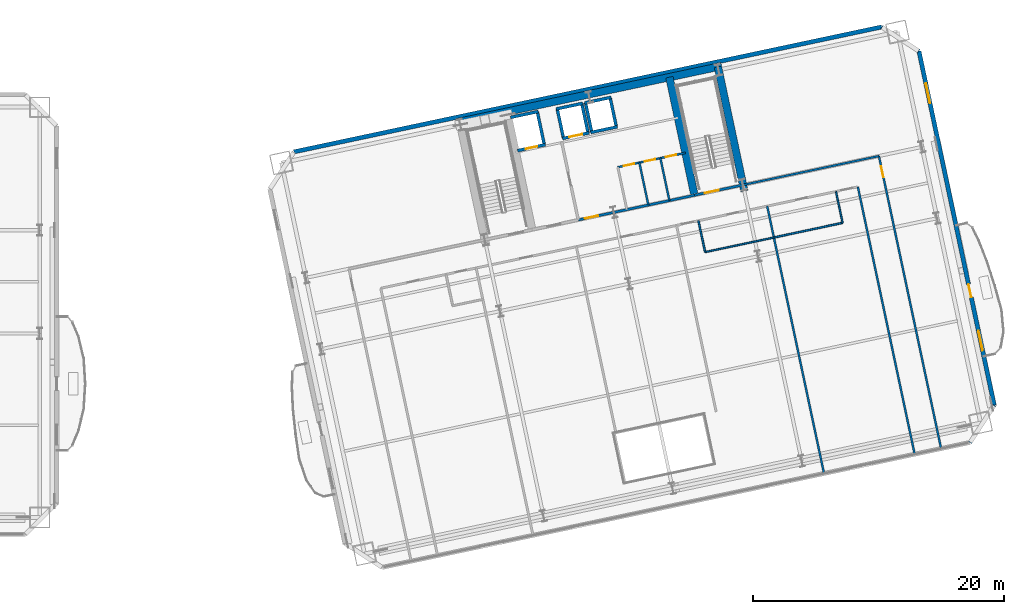
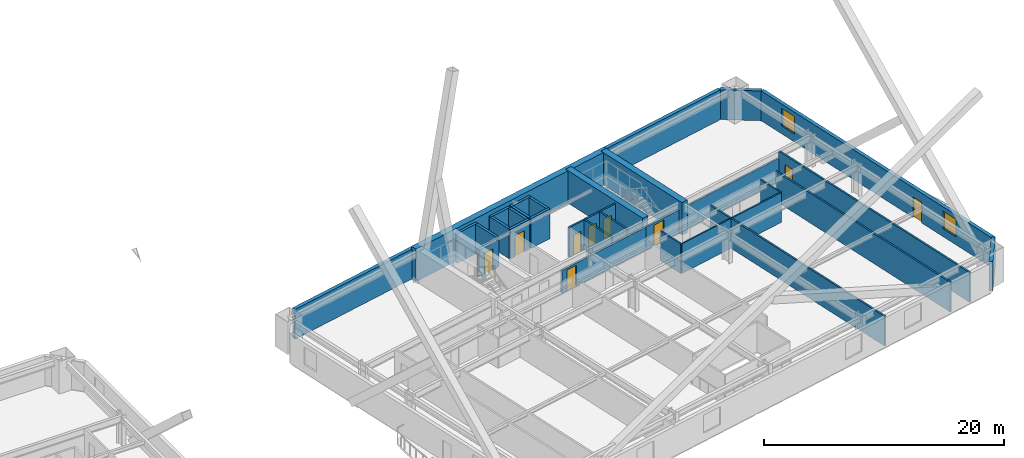
# One storey, part 11 of 20: 31 walls, 9 doors, 2 windows, 11 openings.
"""IFC4 building model written with IfcOpenShell, lengths in metres."""

from ifc_helpers import new_model, si_unit, direction, frame, frame_2d, origin, place, context, subcontext, project, spatial, rectangle, extrude, material, layer, layer_set, type_object, element, fill, save


model = new_model("IFC4")

# Units and contexts
model_context = context("Model", 3, precision=1e-05, world=origin(), true_north=direction((0.0, 1.0)))
body_context = subcontext(model_context, "Body", "Model", "MODEL_VIEW")
ifc_project = project(units=[si_unit("LENGTHUNIT", "METRE"), si_unit("AREAUNIT", "SQUARE_METRE"), si_unit("VOLUMEUNIT", "CUBIC_METRE"), si_unit("PLANEANGLEUNIT", "RADIAN"), si_unit("MASSUNIT", "GRAM", prefix="KILO")], contexts=[model_context])

# Site, building, storey
site_placement = place(None, origin())
site = spatial("IfcSite", under=ifc_project, at=site_placement, CompositionType="ELEMENT")
building_placement = place(site_placement, origin())
building = spatial("IfcBuilding", under=site, at=building_placement, Name="Haevon Station Towers", CompositionType="ELEMENT")
storey_placement = place(building_placement, frame((0.0, 0.0, 30.60009765625)))
storey = spatial("IfcBuildingStorey", under=building, at=storey_placement, Name="L06", CompositionType="ELEMENT", Elevation=30.60009765625)

# Wall, opening, door
ifc_material_1 = material(Name="Gypsum board on steel stud", Category="steel")
ifc_layer_1 = layer(ifc_material_1, 0.199951171875)
ifc_layer_set_1 = layer_set([ifc_layer_1], Name="Gypsum board on steel stud")
wall_type_1 = type_object("IfcWallType", Name="WL-COR200", PredefinedType="PARTITIONING", material=ifc_layer_set_1)
wall_1_placement = place(storey_placement, frame((115.4296875, 40.9873046875, 0.0), z_axis=(0.0, 0.0, 1.0), x_axis=(0.978146596989, 0.207916413008, 0.0)))
wall_1 = element("IfcWall", 1, at=wall_1_placement, inside=storey, type_object=wall_type_1, Name="WL-ST-ST4-L06", PredefinedType="PARTITIONING", context=body_context, shape_type="SweptSolid", body=[
    extrude(rectangle(XDim=3.9501953125, YDim=0.199951171875, at=frame_2d((1.97509765625, 0.0))), origin(), (0.0, 0.0, 1.0), 2.329833984375),
])
opening_1_placement = place(wall_1_placement, frame((0.85009765625, 0.0, 0.0)))
opening_1 = element("IfcOpeningElement", 2, at=opening_1_placement, cuts=wall_1, Name="Opening DR-ST-ST4-L06", PredefinedType="OPENING", context=body_context, shape_type="SweptSolid", body=[
    extrude(rectangle(XDim=1.1201171875, YDim=2.10009765625, at=frame_2d((0.56005859375, 1.050048828125))), frame((0.0, 0.10986328125, 0.0), z_axis=(0.0, -1.0, 0.0), x_axis=(1.0, 0.0, 0.0)), (0.0, 0.0, 1.0), 0.219970703125),
])
ifc_material_2 = material(Name="Engineered oak timber", Category="wood")
door_type_1 = type_object("IfcDoorType", Name="DR-ST-1120", OperationType="NOTDEFINED", PredefinedType="DOOR", material=ifc_material_2)
door_1_placement = place(opening_1_placement, origin())
door_1 = element("IfcDoor", 3, at=door_1_placement, inside=storey, type_object=door_type_1, Name="L06 Escape Stair ST4 Fire Door", OperationType="SINGLE_SWING_RIGHT", OverallHeight=2.10009765625, OverallWidth=1.1201171875, PredefinedType="DOOR", context=body_context, shape_type="SweptSolid", body=[
    extrude(rectangle(XDim=1.1201171875, YDim=2.10009765625, at=frame_2d((0.56005859375, 1.050048828125))), frame((0.0, 0.02490234375, 0.0), z_axis=(0.0, -1.0, 0.0), x_axis=(1.0, 0.0, 0.0)), (0.0, 0.0, 1.0), 0.050048828125),
])
fill(opening_1, door_1)

wall_2_placement = place(storey_placement, frame((106.186279296875, 39.0224609375, 0.0), z_axis=(0.0, 0.0, 1.0), x_axis=(0.978145519981, 0.20792147975, 0.0)))
wall_2 = element("IfcWall", 4, at=wall_2_placement, inside=storey, type_object=wall_type_1, Name="WL-T2CLB-L06", PredefinedType="PARTITIONING", context=body_context, shape_type="SweptSolid", body=[
    extrude(rectangle(XDim=9.449951171875, YDim=0.199951171875, at=frame_2d((4.72509765625, 0.0))), origin(), (0.0, 0.0, 1.0), 2.329833984375),
])
opening_2_placement = place(wall_2_placement, frame((0.550048828125, 0.0, 0.0)))
opening_2 = element("IfcOpeningElement", 5, at=opening_2_placement, cuts=wall_2, Name="Opening DR-T2CLB-L06-1", PredefinedType="OPENING", context=body_context, shape_type="SweptSolid", body=[
    extrude(rectangle(XDim=1.050048828125, YDim=2.10009765625, at=frame_2d((0.52490234375, 1.050048828125))), frame((0.0, 0.10986328125, 0.0), z_axis=(0.0, -1.0, 0.0), x_axis=(1.0, 0.0, 0.0)), (0.0, 0.0, 1.0), 0.219970703125),
])
door_type_2 = type_object("IfcDoorType", Name="DR-FD60-1050", OperationType="NOTDEFINED", PredefinedType="DOOR", material=ifc_material_2)
door_2_placement = place(opening_2_placement, origin())
door_2 = element("IfcDoor", 6, at=door_2_placement, inside=storey, type_object=door_type_2, Name="L06 Tower 2 Core Lift Lobby Door 1", OperationType="SINGLE_SWING_LEFT", OverallHeight=2.10009765625, OverallWidth=1.050048828125, PredefinedType="DOOR", context=body_context, shape_type="SweptSolid", body=[
    extrude(rectangle(XDim=1.050048828125, YDim=2.10009765625, at=frame_2d((0.52490234375, 1.050048828125))), frame((0.0, 0.02490234375, 0.0), z_axis=(0.0, -1.0, 0.0), x_axis=(1.0, 0.0, 0.0)), (0.0, 0.0, 1.0), 0.050048828125),
])
fill(opening_2, door_2)

# Walls
ifc_material_3 = material(Name="Concrete C60/75", Category="concrete")
ifc_layer_2 = layer(ifc_material_3, 0.60009765625)
ifc_layer_set_2 = layer_set([ifc_layer_2], Name="Concrete C60/75")
wall_type_2 = type_object("IfcWallType", Name="WL-CR600", PredefinedType="SHEAR", material=ifc_layer_set_2)
wall_3_placement = place(storey_placement, frame((96.462890625, 46.770263671875, 0.0), z_axis=(0.0, 0.0, 1.0), x_axis=(0.978147272959, 0.207913232873, 0.0)))
element("IfcWall", 7, at=wall_3_placement, inside=storey, type_object=wall_type_2, Name="WL-T2CR-L06-N", PredefinedType="SHEAR", context=body_context, shape_type="SweptSolid", body=[
    extrude(rectangle(XDim=21.60009765625, YDim=0.60009765625, at=frame_2d((10.800048828125, 0.0))), origin(), (0.0, 0.0, 1.0), 3.2998046875),
])
wall_4_placement = place(storey_placement, frame((119.401611328125, 41.2998046875, 0.0), z_axis=(0.0, 0.0, 1.0), x_axis=(-0.207904342798, 0.978149162575, 0.0)))
element("IfcWall", 8, at=wall_4_placement, inside=storey, type_object=wall_type_2, Name="WL-T2CR-L06-E", PredefinedType="SHEAR", context=body_context, shape_type="SweptSolid", body=[
    extrude(rectangle(XDim=10.1201171875, YDim=0.60009765625, at=frame_2d((5.06005859375, 0.0))), origin(), (0.0, 0.0, 1.0), 3.2998046875),
])
wall_5_placement = place(storey_placement, frame((115.4296875, 40.9873046875, 0.0), z_axis=(0.0, 0.0, 1.0), x_axis=(-0.207903162969, 0.978149413345, 0.0)))
element("IfcWall", 9, at=wall_5_placement, inside=storey, type_object=wall_type_2, Name="WL-T2CR-L06-M2", PredefinedType="SHEAR", context=body_context, shape_type="SweptSolid", body=[
    extrude(rectangle(XDim=9.599853515625, YDim=0.60009765625, at=frame_2d((4.7998046875, 0.0))), origin(), (0.0, 0.0, 1.0), 3.2998046875),
])
ifc_material_4 = material(Name="Precast concrete C45/55", Category="concrete")
ifc_layer_3 = layer(ifc_material_4, 0.340087890625)
ifc_layer_set_3 = layer_set([ifc_layer_3], Name="Precast concrete C45/55")
wall_type_3 = type_object("IfcWallType", Name="WL-EXT-PIER340", PredefinedType="SOLIDWALL", material=ifc_layer_set_3)
wall_6_placement = place(storey_placement, frame((83.566162109375, 44.43798828125, 0.0), z_axis=(0.0, 0.0, 1.0), x_axis=(0.97814833523, 0.207908235256, 0.0)))
element("IfcWall", 10, at=wall_6_placement, inside=storey, type_object=wall_type_3, Name="WL-T2-L06-N", PredefinedType="SOLIDWALL", context=body_context, shape_type="SweptSolid", body=[
    extrude(rectangle(XDim=47.7998046875, YDim=0.340087890625, at=frame_2d((23.89990234375, 0.0))), origin(), (0.0, 0.0, 1.0), 3.02978515625),
])
wall_7_placement = place(storey_placement, frame((130.321533203125, 54.3759765625, 0.0), z_axis=(0.0, 0.0, 1.0), x_axis=(0.838672309694, -0.544636352948, 0.0)))
element("IfcWall", 11, at=wall_7_placement, inside=storey, type_object=wall_type_3, Name="WL-T2-L06-NEC", PredefinedType="SOLIDWALL", context=body_context, shape_type="SweptSolid", body=[
    extrude(rectangle(XDim=3.535400390625, YDim=0.340087890625, at=frame_2d((1.767578125, 0.0))), origin(), (0.0, 0.0, 1.0), 3.02978515625),
])

# Wall, openings, door, windows
wall_8_placement = place(storey_placement, frame((133.28662109375, 52.450439453125, 0.0), z_axis=(0.0, 0.0, 1.0), x_axis=(0.207909549752, -0.978148055829, 0.0)))
wall_8 = element("IfcWall", 12, at=wall_8_placement, inside=storey, type_object=wall_type_3, Name="WL-T2-L06-E", PredefinedType="SOLIDWALL", context=body_context, shape_type="SweptSolid", body=[
    extrude(rectangle(XDim=28.800048828125, YDim=0.340087890625, at=frame_2d((14.39990234375, 0.0))), origin(), (0.0, 0.0, 1.0), 3.02978515625),
])
opening_3_placement = place(wall_8_placement, frame((18.97509765625, 0.0, 0.0)))
opening_3 = element("IfcOpeningElement", 13, at=opening_3_placement, cuts=wall_8, Name="Opening DR-T2-SCAL-L06-E", PredefinedType="OPENING", context=body_context, shape_type="SweptSolid", body=[
    extrude(rectangle(XDim=1.050048828125, YDim=2.10009765625, at=frame_2d((0.52490234375, 1.050048828125))), frame((0.0, 0.179931640625, 0.0), z_axis=(0.0, -1.0, 0.0), x_axis=(1.0, 0.0, 0.0)), (0.0, 0.0, 1.0), 0.360107421875),
])
opening_4_placement = place(wall_8_placement, frame((2.628662109375, 0.0, 0.800048828125)))
opening_4 = element("IfcOpeningElement", 14, at=opening_4_placement, cuts=wall_8, Name="Opening WN-END160", PredefinedType="OPENING", context=body_context, shape_type="SweptSolid", body=[
    extrude(rectangle(XDim=1.60009765625, YDim=1.800048828125, at=frame_2d((0.800048828125, 0.89990234375))), frame((0.0, 0.179931640625, 0.0), z_axis=(0.0, -1.0, 0.0), x_axis=(1.0, 0.0, 0.0)), (0.0, 0.0, 1.0), 0.360107421875),
])
opening_5_placement = place(wall_8_placement, frame((22.742919921875, 0.0, 0.800048828125)))
opening_5 = element("IfcOpeningElement", 15, at=opening_5_placement, cuts=wall_8, Name="Opening WN-END160", PredefinedType="OPENING", context=body_context, shape_type="SweptSolid", body=[
    extrude(rectangle(XDim=1.60009765625, YDim=1.800048828125, at=frame_2d((0.800048828125, 0.89990234375))), frame((0.0, 0.179931640625, 0.0), z_axis=(0.0, -1.0, 0.0), x_axis=(1.0, 0.0, 0.0)), (0.0, 0.0, 1.0), 0.360107421875),
])
ifc_material_5 = material(Name="Thermally broken anodised aluminium and laminated safety glass", Category="aluminium")
door_type_3 = type_object("IfcDoorType", Name="DR-BALC-1050", OperationType="NOTDEFINED", PredefinedType="DOOR", material=ifc_material_5)
door_3_placement = place(opening_3_placement, origin())
door_3 = element("IfcDoor", 16, at=door_3_placement, inside=storey, type_object=door_type_3, Name="Tower 2 L06 East Scalloped Balcony Door", OperationType="SINGLE_SWING_RIGHT", OverallHeight=2.10009765625, OverallWidth=1.050048828125, PredefinedType="DOOR", context=body_context, shape_type="SweptSolid", body=[
    extrude(rectangle(XDim=1.050048828125, YDim=2.10009765625, at=frame_2d((0.52490234375, 1.050048828125))), frame((0.0, 0.02490234375, 0.0), z_axis=(0.0, -1.0, 0.0), x_axis=(1.0, 0.0, 0.0)), (0.0, 0.0, 1.0), 0.050048828125),
])
fill(opening_3, door_3)
ifc_material_6 = material(Name="Low-E triple glazing in thermally broken aluminium", Category="aluminium")
window_type = type_object("IfcWindowType", Name="WN-END160", PartitioningType="SINGLE_PANEL", PredefinedType="WINDOW", material=ifc_material_6)
window_1_placement = place(opening_4_placement, origin())
window_1 = element("IfcWindow", 17, at=window_1_placement, inside=storey, type_object=window_type, Name="WN-T2-L06-E01", OverallHeight=1.800048828125, OverallWidth=1.60009765625, PartitioningType="SINGLE_PANEL", PredefinedType="WINDOW", context=body_context, shape_type="SweptSolid", body=[
    extrude(rectangle(XDim=1.60009765625, YDim=1.800048828125, at=frame_2d((0.800048828125, 0.89990234375))), frame((0.0, 0.030029296875, 0.0), z_axis=(0.0, -1.0, 0.0), x_axis=(1.0, 0.0, 0.0)), (0.0, 0.0, 1.0), 0.06005859375),
])
fill(opening_4, window_1)
window_2_placement = place(opening_5_placement, origin())
window_2 = element("IfcWindow", 18, at=window_2_placement, inside=storey, type_object=window_type, Name="WN-T2-L06-E02", OverallHeight=1.800048828125, OverallWidth=1.60009765625, PartitioningType="SINGLE_PANEL", PredefinedType="WINDOW", context=body_context, shape_type="SweptSolid", body=[
    extrude(rectangle(XDim=1.60009765625, YDim=1.800048828125, at=frame_2d((0.800048828125, 0.89990234375))), frame((0.0, 0.030029296875, 0.0), z_axis=(0.0, -1.0, 0.0), x_axis=(1.0, 0.0, 0.0)), (0.0, 0.0, 1.0), 0.06005859375),
])
fill(opening_5, window_2)

# Walls
wall_9_placement = place(storey_placement, frame((139.2744140625, 24.27978515625, 0.0), z_axis=(0.0, 0.0, 1.0), x_axis=(-0.544636352948, -0.838672309694, 0.0)))
element("IfcWall", 19, at=wall_9_placement, inside=storey, type_object=wall_type_3, Name="WL-T2-L06-SEC", PredefinedType="SOLIDWALL", context=body_context, shape_type="SweptSolid", body=[
    extrude(rectangle(XDim=3.535400390625, YDim=0.340087890625, at=frame_2d((1.767578125, 0.0))), origin(), (0.0, 0.0, 1.0), 3.02978515625),
])
ifc_layer_4 = layer(ifc_material_1, 0.125)
ifc_layer_set_4 = layer_set([ifc_layer_4], Name="Gypsum board on steel stud")
wall_type_4 = type_object("IfcWallType", Name="WL-PRT125", PredefinedType="PARTITIONING", material=ifc_layer_set_4)
wall_10_placement = place(storey_placement, frame((116.274658203125, 36.464111328125, 0.0), z_axis=(0.0, 0.0, 1.0), x_axis=(0.978148641405, 0.207906794785, 0.0)))
element("IfcWall", 20, at=wall_10_placement, inside=storey, type_object=wall_type_4, Name="WL-T2PT-L06-17", PredefinedType="PARTITIONING", context=body_context, shape_type="SweptSolid", body=[
    extrude(rectangle(XDim=5.591796875, YDim=0.125, at=frame_2d((2.7958984375, 0.0))), origin(), (0.0, 0.0, 1.0), 3.02978515625),
])
wall_11_placement = place(storey_placement, frame((127.21435546875, 38.789306640625, 0.0), z_axis=(0.0, 0.0, 1.0), x_axis=(-0.207940050407, 0.978141572287, 0.0)))
element("IfcWall", 21, at=wall_11_placement, inside=storey, type_object=wall_type_4, Name="WL-T2PT-L06-21", PredefinedType="PARTITIONING", context=body_context, shape_type="SweptSolid", body=[
    extrude(rectangle(XDim=2.550048828125, YDim=0.125, at=frame_2d((1.27490234375, 0.0))), origin(), (0.0, 0.0, 1.0), 3.02978515625),
])
ifc_layer_5 = layer(ifc_material_1, 0.139892578125)
ifc_layer_set_5 = layer_set([ifc_layer_5], Name="Gypsum board on steel stud")
wall_type_5 = type_object("IfcWallType", Name="WL-PRT140", PredefinedType="PARTITIONING", material=ifc_layer_set_5)
wall_12_placement = place(storey_placement, frame((116.274658203125, 36.464111328125, 0.0), z_axis=(0.0, 0.0, 1.0), x_axis=(-0.207940050407, 0.978141572287, 0.0)))
element("IfcWall", 22, at=wall_12_placement, inside=storey, type_object=wall_type_5, Name="WL-T2PT-L06-18", PredefinedType="PARTITIONING", context=body_context, shape_type="SweptSolid", body=[
    extrude(rectangle(XDim=2.550048828125, YDim=0.139892578125, at=frame_2d((1.27490234375, 0.0))), origin(), (0.0, 0.0, 1.0), 3.02978515625),
])
wall_13_placement = place(storey_placement, frame((121.744384765625, 37.626708984375, 0.0), z_axis=(0.0, 0.0, 1.0), x_axis=(0.978150528478, 0.207897916385, 0.0)))
element("IfcWall", 23, at=wall_13_placement, inside=storey, type_object=wall_type_5, Name="WL-T2PT-L06-20", PredefinedType="PARTITIONING", context=body_context, shape_type="SweptSolid", body=[
    extrude(rectangle(XDim=5.592041015625, YDim=0.139892578125, at=frame_2d((2.7958984375, 0.0))), origin(), (0.0, 0.0, 1.0), 3.02978515625),
])
ifc_layer_6 = layer(ifc_material_1, 0.159912109375)
ifc_layer_set_6 = layer_set([ifc_layer_6], Name="Gypsum board on steel stud")
wall_type_6 = type_object("IfcWallType", Name="WL-PRT160", PredefinedType="PARTITIONING", material=ifc_layer_set_6)
wall_14_placement = place(storey_placement, frame((111.76171875, 40.20751953125, 0.0), z_axis=(0.0, 0.0, 1.0), x_axis=(-0.207900225061, 0.978150037785, 0.0)))
element("IfcWall", 24, at=wall_14_placement, inside=storey, type_object=wall_type_6, Name="WL-T2CW-L06-02", PredefinedType="PARTITIONING", context=body_context, shape_type="SweptSolid", body=[
    extrude(rectangle(XDim=3.4501953125, YDim=0.159912109375, at=frame_2d((1.72509765625, 0.0))), origin(), (0.0, 0.0, 1.0), 3.02978515625),
])
wall_15_placement = place(storey_placement, frame((113.434326171875, 40.563232421875, 0.0), z_axis=(0.0, 0.0, 1.0), x_axis=(-0.207914616127, 0.978146978935, 0.0)))
element("IfcWall", 25, at=wall_15_placement, inside=storey, type_object=wall_type_6, Name="WL-T2CW-L06-03", PredefinedType="PARTITIONING", context=body_context, shape_type="SweptSolid", body=[
    extrude(rectangle(XDim=3.449951171875, YDim=0.159912109375, at=frame_2d((1.72509765625, 0.0))), origin(), (0.0, 0.0, 1.0), 3.02978515625),
])

# Wall, openings, doors
wall_16_placement = place(storey_placement, frame((109.332763671875, 43.218505859375, 0.0), z_axis=(0.0, 0.0, 1.0), x_axis=(0.978153773776, 0.207882646816, 0.0)))
wall_16 = element("IfcWall", 26, at=wall_16_placement, inside=storey, type_object=wall_type_6, Name="WL-T2CW-L06-04", PredefinedType="PARTITIONING", context=body_context, shape_type="SweptSolid", body=[
    extrude(rectangle(XDim=5.499755859375, YDim=0.159912109375, at=frame_2d((2.75, 0.0))), origin(), (0.0, 0.0, 1.0), 3.02978515625),
])
opening_6_placement = place(wall_16_placement, frame((0.469970703125, 0.0, 0.0)))
opening_6 = element("IfcOpeningElement", 27, at=opening_6_placement, cuts=wall_16, Name="Opening DR-WL-T2CW-L06-04-1", PredefinedType="OPENING", context=body_context, shape_type="SweptSolid", body=[
    extrude(rectangle(XDim=0.85009765625, YDim=2.050048828125, at=frame_2d((0.425048828125, 1.02490234375))), frame((0.0, 0.08984375, 0.0), z_axis=(0.0, -1.0, 0.0), x_axis=(1.0, 0.0, 0.0)), (0.0, 0.0, 1.0), 0.179931640625),
])
opening_7_placement = place(wall_16_placement, frame((2.179931640625, 0.0, 0.0)))
opening_7 = element("IfcOpeningElement", 28, at=opening_7_placement, cuts=wall_16, Name="Opening DR-WL-T2CW-L06-04-2", PredefinedType="OPENING", context=body_context, shape_type="SweptSolid", body=[
    extrude(rectangle(XDim=0.85009765625, YDim=2.050048828125, at=frame_2d((0.425048828125, 1.02490234375))), frame((0.0, 0.08984375, 0.0), z_axis=(0.0, -1.0, 0.0), x_axis=(1.0, 0.0, 0.0)), (0.0, 0.0, 1.0), 0.179931640625),
])
opening_8_placement = place(wall_16_placement, frame((3.89501953125, 0.0, 0.0)))
opening_8 = element("IfcOpeningElement", 29, at=opening_8_placement, cuts=wall_16, Name="Opening DR-WL-T2CW-L06-04-3", PredefinedType="OPENING", context=body_context, shape_type="SweptSolid", body=[
    extrude(rectangle(XDim=0.85009765625, YDim=2.050048828125, at=frame_2d((0.425048828125, 1.02490234375))), frame((0.0, 0.08984375, 0.0), z_axis=(0.0, -1.0, 0.0), x_axis=(1.0, 0.0, 0.0)), (0.0, 0.0, 1.0), 0.179931640625),
])
door_type_4 = type_object("IfcDoorType", Name="DR-FD30-850", OperationType="NOTDEFINED", PredefinedType="DOOR", material=ifc_material_2)
door_4_placement = place(opening_6_placement, origin())
door_4 = element("IfcDoor", 30, at=door_4_placement, inside=storey, type_object=door_type_4, Name="L06 Tower 2 Core Room Door 4-1", OperationType="SINGLE_SWING_LEFT", OverallHeight=2.050048828125, OverallWidth=0.85009765625, PredefinedType="DOOR", context=body_context, shape_type="SweptSolid", body=[
    extrude(rectangle(XDim=0.85009765625, YDim=2.050048828125, at=frame_2d((0.425048828125, 1.02490234375))), frame((0.0, 0.02490234375, 0.0), z_axis=(0.0, -1.0, 0.0), x_axis=(1.0, 0.0, 0.0)), (0.0, 0.0, 1.0), 0.050048828125),
])
fill(opening_6, door_4)
door_5_placement = place(opening_7_placement, origin())
door_5 = element("IfcDoor", 31, at=door_5_placement, inside=storey, type_object=door_type_4, Name="L06 Tower 2 Core Room Door 4-2", OperationType="SINGLE_SWING_RIGHT", OverallHeight=2.050048828125, OverallWidth=0.85009765625, PredefinedType="DOOR", context=body_context, shape_type="SweptSolid", body=[
    extrude(rectangle(XDim=0.85009765625, YDim=2.050048828125, at=frame_2d((0.425048828125, 1.02490234375))), frame((0.0, 0.02490234375, 0.0), z_axis=(0.0, -1.0, 0.0), x_axis=(1.0, 0.0, 0.0)), (0.0, 0.0, 1.0), 0.050048828125),
])
fill(opening_7, door_5)
door_6_placement = place(opening_8_placement, origin())
door_6 = element("IfcDoor", 32, at=door_6_placement, inside=storey, type_object=door_type_4, Name="L06 Tower 2 Core Room Door 4-3", OperationType="SINGLE_SWING_LEFT", OverallHeight=2.050048828125, OverallWidth=0.85009765625, PredefinedType="DOOR", context=body_context, shape_type="SweptSolid", body=[
    extrude(rectangle(XDim=0.85009765625, YDim=2.050048828125, at=frame_2d((0.425048828125, 1.02490234375))), frame((0.0, 0.02490234375, 0.0), z_axis=(0.0, -1.0, 0.0), x_axis=(1.0, 0.0, 0.0)), (0.0, 0.0, 1.0), 0.050048828125),
])
fill(opening_8, door_6)

# Walls
wall_17_placement = place(storey_placement, frame((132.947265625, 20.379150390625, 0.0), z_axis=(0.0, 0.0, 1.0), x_axis=(-0.207907487947, 0.978148494072, 0.0)))
element("IfcWall", 33, at=wall_17_placement, inside=storey, type_object=wall_type_6, Name="WL-T2PT-L06-02", PredefinedType="PARTITIONING", context=body_context, shape_type="SweptSolid", body=[
    extrude(rectangle(XDim=21.75, YDim=0.159912109375, at=frame_2d((10.875, 0.0))), origin(), (0.0, 0.0, 1.0), 3.02978515625),
])
wall_18_placement = place(storey_placement, frame((119.29345703125, 41.80859375, 0.0), z_axis=(0.0, 0.0, 1.0), x_axis=(0.978148967098, 0.207905262477, 0.0)))
element("IfcWall", 34, at=wall_18_placement, inside=storey, type_object=wall_type_6, Name="WL-T2PT-L06-04", PredefinedType="PARTITIONING", context=body_context, shape_type="SweptSolid", body=[
    extrude(rectangle(XDim=11.050048828125, YDim=0.159912109375, at=frame_2d((5.52490234375, 0.0))), origin(), (0.0, 0.0, 1.0), 2.329833984375),
])

# Wall, opening, door
wall_19_placement = place(storey_placement, frame((135.05029296875, 20.826171875, 0.0), z_axis=(0.0, 0.0, 1.0), x_axis=(-0.207910528946, 0.978147847697, 0.0)))
wall_19 = element("IfcWall", 35, at=wall_19_placement, inside=storey, type_object=wall_type_6, Name="WL-T2PT-L06-06", PredefinedType="PARTITIONING", context=body_context, shape_type="SweptSolid", body=[
    extrude(rectangle(XDim=23.7998046875, YDim=0.159912109375, at=frame_2d((11.89990234375, 0.0))), origin(), (0.0, 0.0, 1.0), 3.02978515625),
])
opening_9_placement = place(wall_19_placement, frame((22.070068359375, 0.0, 0.0)))
opening_9 = element("IfcOpeningElement", 36, at=opening_9_placement, cuts=wall_19, Name="Opening DR-WL-T2PT-L06-06-01", PredefinedType="OPENING", context=body_context, shape_type="SweptSolid", body=[
    extrude(rectangle(XDim=0.89990234375, YDim=2.050048828125, at=frame_2d((0.449951171875, 1.02490234375))), frame((0.0, 0.08984375, 0.0), z_axis=(0.0, -1.0, 0.0), x_axis=(1.0, 0.0, 0.0)), (0.0, 0.0, 1.0), 0.179931640625),
])
door_type_5 = type_object("IfcDoorType", Name="DR-INT-900", OperationType="NOTDEFINED", PredefinedType="DOOR", material=ifc_material_2)
door_7_placement = place(opening_9_placement, origin())
door_7 = element("IfcDoor", 37, at=door_7_placement, inside=storey, type_object=door_type_5, Name="L06 Tower 2 Room Door 6-1", OperationType="SINGLE_SWING_LEFT", OverallHeight=2.050048828125, OverallWidth=0.89990234375, PredefinedType="DOOR", context=body_context, shape_type="SweptSolid", body=[
    extrude(rectangle(XDim=0.89990234375, YDim=2.050048828125, at=frame_2d((0.449951171875, 1.02490234375))), frame((0.0, 0.02490234375, 0.0), z_axis=(0.0, -1.0, 0.0), x_axis=(1.0, 0.0, 0.0)), (0.0, 0.0, 1.0), 0.050048828125),
])
fill(opening_9, door_7)

# Wall
wall_20_placement = place(storey_placement, frame((125.736328125, 18.846435546875, 0.0), z_axis=(0.0, 0.0, 1.0), x_axis=(-0.207907487947, 0.978148494072, 0.0)))
element("IfcWall", 38, at=wall_20_placement, inside=storey, type_object=wall_type_6, Name="WL-T2PT-L06-19", PredefinedType="PARTITIONING", context=body_context, shape_type="SweptSolid", body=[
    extrude(rectangle(XDim=21.75, YDim=0.159912109375, at=frame_2d((10.875, 0.0))), origin(), (0.0, 0.0, 1.0), 3.02978515625),
])

# Wall, opening, door
ifc_material_7 = material(Name="Concrete C40/50", Category="concrete")
ifc_layer_7 = layer(ifc_material_7, 0.239990234375)
ifc_layer_set_7 = layer_set([ifc_layer_7], Name="Concrete C40/50")
wall_type_7 = type_object("IfcWallType", Name="WL-SHF240", PredefinedType="PARTITIONING", material=ifc_layer_set_7)
wall_21_placement = place(storey_placement, frame((101.353759765625, 44.538330078125, 0.0), z_axis=(0.0, 0.0, 1.0), x_axis=(0.978141002414, 0.207942731049, 0.0)))
wall_21 = element("IfcWall", 39, at=wall_21_placement, inside=storey, type_object=wall_type_7, Name="WL-SHF-FL2-L06", PredefinedType="PARTITIONING", context=body_context, shape_type="SweptSolid", body=[
    extrude(rectangle(XDim=2.260009765625, YDim=0.239990234375, at=frame_2d((1.1298828125, 0.0))), origin(), (0.0, 0.0, 1.0), 2.72998046875),
])
opening_10_placement = place(wall_21_placement, frame((0.655029296875, 0.0, 0.0)))
opening_10 = element("IfcOpeningElement", 40, at=opening_10_placement, cuts=wall_21, Name="Opening LD-FL2-L06", PredefinedType="OPENING", context=body_context, shape_type="SweptSolid", body=[
    extrude(rectangle(XDim=0.949951171875, YDim=2.14990234375, at=frame_2d((0.47509765625, 1.074951171875))), frame((0.0, 0.1298828125, 0.0), z_axis=(0.0, -1.0, 0.0), x_axis=(1.0, 0.0, 0.0)), (0.0, 0.0, 1.0), 0.260009765625),
])
ifc_material_8 = material(Name="Stainless steel and rated core", Category="steel")
door_type_6 = type_object("IfcDoorType", Name="LD-FL950", OperationType="SLIDING_TO_LEFT", PredefinedType="DOOR", material=ifc_material_8)
door_8_placement = place(opening_10_placement, origin())
door_8 = element("IfcDoor", 41, at=door_8_placement, inside=storey, type_object=door_type_6, Name="L06 Lift FL2 Sliding Landing Door", OperationType="SLIDING_TO_LEFT", OverallHeight=2.14990234375, OverallWidth=0.949951171875, PredefinedType="DOOR", context=body_context, shape_type="SweptSolid", body=[
    extrude(rectangle(XDim=0.949951171875, YDim=2.14990234375, at=frame_2d((0.47509765625, 1.074951171875))), frame((0.0, 0.02490234375, 0.0), z_axis=(0.0, -1.0, 0.0), x_axis=(1.0, 0.0, 0.0)), (0.0, 0.0, 1.0), 0.050048828125),
])
fill(opening_10, door_8)

# Walls
wall_22_placement = place(storey_placement, frame((100.79248046875, 47.179443359375, 0.0), z_axis=(0.0, 0.0, 1.0), x_axis=(0.978162968872, 0.207839376268, 0.0)))
element("IfcWall", 42, at=wall_22_placement, inside=storey, type_object=wall_type_7, Name="WL-SHF-FL2-L06-N", PredefinedType="PARTITIONING", context=body_context, shape_type="SweptSolid", body=[
    extrude(rectangle(XDim=2.260009765625, YDim=0.239990234375, at=frame_2d((1.1298828125, 0.0))), origin(), (0.0, 0.0, 1.0), 3.02978515625),
])
wall_23_placement = place(storey_placement, frame((103.486328125, 44.99169921875, 0.0), z_axis=(0.0, 0.0, 1.0), x_axis=(-0.207978798957, 0.978133334052, 0.0)))
element("IfcWall", 43, at=wall_23_placement, inside=storey, type_object=wall_type_7, Name="WL-SHF-FL2-L06-E", PredefinedType="PARTITIONING", context=body_context, shape_type="SweptSolid", body=[
    extrude(rectangle(XDim=2.699951171875, YDim=0.239990234375, at=frame_2d((1.35009765625, 0.0))), origin(), (0.0, 0.0, 1.0), 3.02978515625),
])

# Wall, opening, door
wall_24_placement = place(storey_placement, frame((104.931396484375, 45.503173828125, 0.0), z_axis=(0.0, 0.0, 1.0), x_axis=(0.97813528961, 0.207969601673, 0.0)))
wall_24 = element("IfcWall", 44, at=wall_24_placement, inside=storey, type_object=wall_type_7, Name="WL-SHF-PL7-L06", PredefinedType="PARTITIONING", context=body_context, shape_type="SweptSolid", body=[
    extrude(rectangle(XDim=2.159912109375, YDim=0.239990234375, at=frame_2d((1.080078125, 0.0))), origin(), (0.0, 0.0, 1.0), 3.02978515625),
])
opening_11_placement = place(wall_24_placement, frame((0.554931640625, 0.0, 0.0)))
opening_11 = element("IfcOpeningElement", 45, at=opening_11_placement, cuts=wall_24, Name="Opening LD-PL7-L06", PredefinedType="OPENING", context=body_context, shape_type="SweptSolid", body=[
    extrude(rectangle(XDim=1.050048828125, YDim=2.14990234375, at=frame_2d((0.52490234375, 1.074951171875))), frame((0.0, 0.1298828125, 0.0), z_axis=(0.0, -1.0, 0.0), x_axis=(1.0, 0.0, 0.0)), (0.0, 0.0, 1.0), 0.260009765625),
])
door_type_7 = type_object("IfcDoorType", Name="LD-PL1050", OperationType="SLIDING_TO_LEFT", PredefinedType="DOOR", material=ifc_material_8)
door_9_placement = place(opening_11_placement, origin())
door_9 = element("IfcDoor", 46, at=door_9_placement, inside=storey, type_object=door_type_7, Name="L06 Lift PL7 Sliding Landing Door", OperationType="SLIDING_TO_LEFT", OverallHeight=2.14990234375, OverallWidth=1.050048828125, PredefinedType="DOOR", context=body_context, shape_type="SweptSolid", body=[
    extrude(rectangle(XDim=1.050048828125, YDim=2.14990234375, at=frame_2d((0.52490234375, 1.074951171875))), frame((0.0, 0.02490234375, 0.0), z_axis=(0.0, -1.0, 0.0), x_axis=(1.0, 0.0, 0.0)), (0.0, 0.0, 1.0), 0.050048828125),
])
fill(opening_11, door_9)

# Walls
wall_25_placement = place(storey_placement, frame((104.432373046875, 47.850830078125, 0.0), z_axis=(0.0, 0.0, 1.0), x_axis=(0.978158276388, 0.207861459473, 0.0)))
element("IfcWall", 47, at=wall_25_placement, inside=storey, type_object=wall_type_7, Name="WL-SHF-PL7-L06-N", PredefinedType="PARTITIONING", context=body_context, shape_type="SweptSolid", body=[
    extrude(rectangle(XDim=2.159912109375, YDim=0.239990234375, at=frame_2d((1.080078125, 0.0))), origin(), (0.0, 0.0, 1.0), 3.02978515625),
])
wall_26_placement = place(storey_placement, frame((105.009765625, 45.519775390625, 0.0), z_axis=(0.0, 0.0, 1.0), x_axis=(-0.207917150959, 0.978146440129, 0.0)))
element("IfcWall", 48, at=wall_26_placement, inside=storey, type_object=wall_type_7, Name="WL-SHF-PL7-L06-W", PredefinedType="PARTITIONING", context=body_context, shape_type="SweptSolid", body=[
    extrude(rectangle(XDim=2.400146484375, YDim=0.239990234375, at=frame_2d((1.2001953125, 0.0))), origin(), (0.0, 0.0, 1.0), 3.02978515625),
])
wall_27_placement = place(storey_placement, frame((106.966064453125, 45.935791015625, 0.0), z_axis=(0.0, 0.0, 1.0), x_axis=(-0.207937840262, 0.978142042133, 0.0)))
element("IfcWall", 49, at=wall_27_placement, inside=storey, type_object=wall_type_7, Name="WL-SHF-PL7-L06-E", PredefinedType="PARTITIONING", context=body_context, shape_type="SweptSolid", body=[
    extrude(rectangle(XDim=2.39990234375, YDim=0.239990234375, at=frame_2d((1.199951171875, 0.0))), origin(), (0.0, 0.0, 1.0), 3.02978515625),
])
for number, where, z_axis, x_axis, name in (
    (50, (107.18115234375, 45.9814453125, 0.0), (0.0, 0.0, 1.0), (0.97813528961, 0.207969601673, 0.0), "WL-SHF-PL8-L06"),
    (51, (106.68212890625, 48.3291015625, 0.0), (0.0, 0.0, 1.0), (0.978158276388, 0.207861459473, 0.0), "WL-SHF-PL8-L06-N"),
):
    element("IfcWall", number, at=place(storey_placement, frame(where, z_axis=z_axis, x_axis=x_axis)), inside=storey, type_object=wall_type_7, Name=name, PredefinedType="PARTITIONING", context=body_context, shape_type="SweptSolid", body=[
        extrude(rectangle(XDim=2.159912109375, YDim=0.239990234375, at=frame_2d((1.080078125, 0.0))), origin(), (0.0, 0.0, 1.0), 3.02978515625),
    ])
for number, where, z_axis, x_axis, name in (
    (52, (107.259521484375, 45.998046875, 0.0), (0.0, 0.0, 1.0), (-0.207917150959, 0.978146440129, 0.0), "WL-SHF-PL8-L06-W"),
    (53, (109.2158203125, 46.413818359375, 0.0), (0.0, 0.0, 1.0), (-0.207917150959, 0.978146440129, 0.0), "WL-SHF-PL8-L06-E"),
):
    element("IfcWall", number, at=place(storey_placement, frame(where, z_axis=z_axis, x_axis=x_axis)), inside=storey, type_object=wall_type_7, Name=name, PredefinedType="PARTITIONING", context=body_context, shape_type="SweptSolid", body=[
        extrude(rectangle(XDim=2.400146484375, YDim=0.239990234375, at=frame_2d((1.2001953125, 0.0))), origin(), (0.0, 0.0, 1.0), 3.02978515625),
    ])

save(model, "model.ifc")
